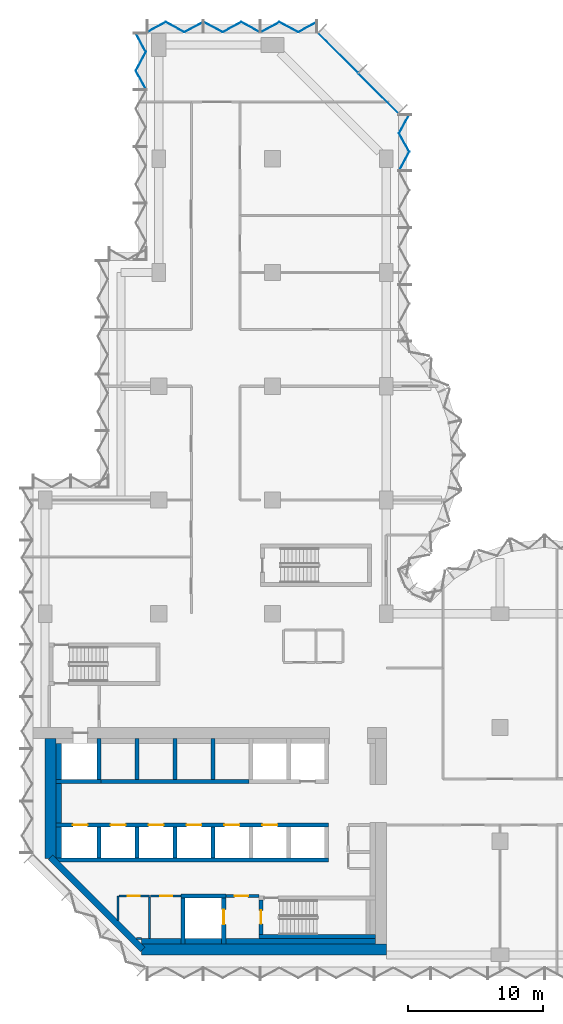
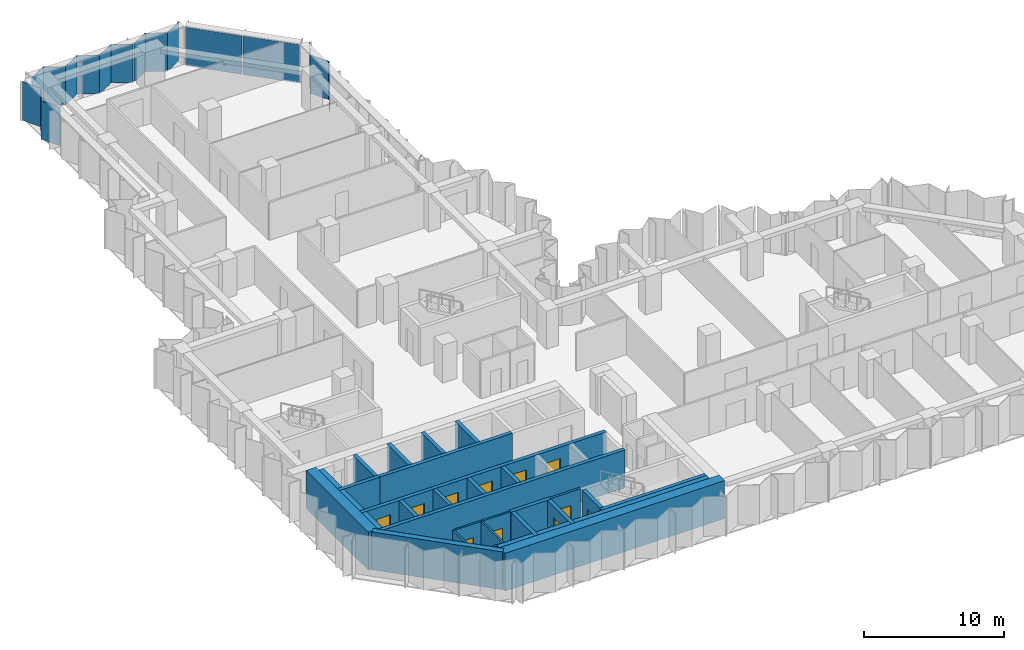
# One storey, part 5 of 11: 32 walls, 11 doors, 7 plates, 11 openings, 4 elements without a shape of their own.
"""IFC4 building model written with IfcOpenShell, lengths in metres."""

from ifc_helpers import new_model, si_unit, direction, frame, frame_2d, origin, place, context, subcontext, project, spatial, polyline, rectangle, outline, extrude, material, layer, layer_set, type_object, element, fill, aggregate, save


model = new_model("IFC4")

# Units and contexts
model_context = context("Model", 3, precision=1e-05, world=origin(), true_north=direction((0.0, 1.0)))
body_context = subcontext(model_context, "Body", "Model", "MODEL_VIEW")
ifc_project = project(units=[si_unit("LENGTHUNIT", "METRE"), si_unit("AREAUNIT", "SQUARE_METRE"), si_unit("VOLUMEUNIT", "CUBIC_METRE"), si_unit("PLANEANGLEUNIT", "RADIAN"), si_unit("MASSUNIT", "GRAM", prefix="KILO")], contexts=[model_context])

# Site, building, storey
site_placement = place(None, origin())
site = spatial("IfcSite", under=ifc_project, at=site_placement, CompositionType="ELEMENT")
building_placement = place(site_placement, origin())
building = spatial("IfcBuilding", under=site, at=building_placement, Name="Brevane Broadcast Tower", CompositionType="ELEMENT")
storey_placement = place(building_placement, frame((0.0, 0.0, 152.89990234375)))
storey = spatial("IfcBuildingStorey", under=building, at=storey_placement, Name="L38", CompositionType="ELEMENT", Elevation=152.89990234375)

# Curtain wall, plate
ifc_material_1 = material(Name="Aluminium 6063-T6 bronze anodised", Category="aluminium")
curtain_wall_type = type_object("IfcCurtainWallType", Name="CW-1 curtain wall", PredefinedType="NOTDEFINED", material=ifc_material_1)
curtain_wall_1_placement = place(storey_placement, origin())
curtain_wall_1 = element("IfcCurtainWall", 1, at=curtain_wall_1_placement, inside=storey, type_object=curtain_wall_type, Name="CW-1 typical tilted unit L38 north arm east face", PredefinedType="NOTDEFINED")
ifc_material_2 = material(Name="Laminated glass bronze-tinted", Category="glass")
ifc_layer_1 = layer(ifc_material_2, 0.0400390625)
ifc_layer_set_1 = layer_set([ifc_layer_1], Name="CW tall glass panel 40")
plate_type = type_object("IfcPlateType", Name="CW tall glass panel 40", PredefinedType="CURTAIN_PANEL", material=ifc_layer_set_1)
plate_1_placement = place(storey_placement, frame((0.0, 0.0, -0.14990234375)))
plate_1 = element("IfcPlate", 2, at=plate_1_placement, type_object=plate_type, Name="CW-1 glass panel", PredefinedType="CURTAIN_PANEL", context=body_context, shape_type="SweptSolid", body=[
    extrude(outline(polyline([(26.127197265625, 57.93505859375), (26.172607421875, 57.93505859375), (26.9169921875, 59.311767578125), (26.172607421875, 60.688232421875), (26.9169921875, 62.06494140625), (26.87158203125, 62.06494140625), (26.127197265625, 60.688232421875), (26.87158203125, 59.311767578125), (26.127197265625, 57.93505859375)])), origin(), (0.0, 0.0, 1.0), 3.35009765625),
])
aggregate(curtain_wall_1, [plate_1])

# Curtain wall, plates
curtain_wall_2_placement = place(storey_placement, origin())
curtain_wall_2 = element("IfcCurtainWall", 3, at=curtain_wall_2_placement, inside=storey, type_object=curtain_wall_type, Name="CW-1 typical tilted unit L38 north arm north-east chamfer", PredefinedType="NOTDEFINED")
plate_2_placement = place(storey_placement, frame((0.0, 0.0, -0.14990234375)))
plate_2 = element("IfcPlate", 4, at=plate_2_placement, type_object=plate_type, Name="CW-1 glass panel", PredefinedType="CURTAIN_PANEL", context=body_context, shape_type="SweptSolid", body=[
    extrude(outline(polyline([(26.096435546875, 62.14599609375), (23.14599609375, 65.096435546875), (23.17431640625, 65.124755859375), (26.124755859375, 62.17431640625), (26.096435546875, 62.14599609375)])), origin(), (0.0, 0.0, 1.0), 3.35009765625),
])
plate_3_placement = place(storey_placement, frame((0.0, 0.0, -0.14990234375)))
plate_3 = element("IfcPlate", 5, at=plate_3_placement, type_object=plate_type, Name="CW-1 glass panel", PredefinedType="CURTAIN_PANEL", context=body_context, shape_type="SweptSolid", body=[
    extrude(outline(polyline([(23.096435546875, 65.14599609375), (20.14599609375, 68.096435546875), (20.17431640625, 68.124755859375), (23.124755859375, 65.17431640625), (23.096435546875, 65.14599609375)])), origin(), (0.0, 0.0, 1.0), 3.35009765625),
])
aggregate(curtain_wall_2, [plate_2, plate_3])

curtain_wall_3_placement = place(storey_placement, origin())
curtain_wall_3 = element("IfcCurtainWall", 6, at=curtain_wall_3_placement, inside=storey, type_object=curtain_wall_type, Name="CW-1 typical tilted unit L38 north end", PredefinedType="NOTDEFINED")
plate_4_placement = place(storey_placement, frame((0.0, 0.0, -0.14990234375)))
plate_4 = element("IfcPlate", 7, at=plate_4_placement, type_object=plate_type, Name="CW-1 glass panel", PredefinedType="CURTAIN_PANEL", context=body_context, shape_type="SweptSolid", body=[
    extrude(outline(polyline([(20.06494140625, 68.87158203125), (20.06494140625, 68.9169921875), (18.688232421875, 68.172607421875), (17.311767578125, 68.9169921875), (15.93505859375, 68.172607421875), (15.93505859375, 68.127197265625), (17.311767578125, 68.87158203125), (18.688232421875, 68.127197265625), (20.06494140625, 68.87158203125)])), origin(), (0.0, 0.0, 1.0), 3.35009765625),
])
plate_5_placement = place(storey_placement, frame((0.0, 0.0, -0.14990234375)))
plate_5 = element("IfcPlate", 8, at=plate_5_placement, type_object=plate_type, Name="CW-1 glass panel", PredefinedType="CURTAIN_PANEL", context=body_context, shape_type="SweptSolid", body=[
    extrude(outline(polyline([(15.864990234375, 68.127197265625), (15.864990234375, 68.172607421875), (14.48828125, 68.9169921875), (13.11181640625, 68.172607421875), (11.735107421875, 68.9169921875), (11.735107421875, 68.87158203125), (13.11181640625, 68.127197265625), (14.48828125, 68.87158203125), (15.864990234375, 68.127197265625)])), origin(), (0.0, 0.0, 1.0), 3.35009765625),
])
plate_6_placement = place(storey_placement, frame((0.0, 0.0, -0.14990234375)))
plate_6 = element("IfcPlate", 9, at=plate_6_placement, type_object=plate_type, Name="CW-1 glass panel", PredefinedType="CURTAIN_PANEL", context=body_context, shape_type="SweptSolid", body=[
    extrude(outline(polyline([(11.6650390625, 68.87158203125), (11.6650390625, 68.9169921875), (10.288330078125, 68.172607421875), (8.91162109375, 68.9169921875), (7.534912109375, 68.172607421875), (7.534912109375, 68.127197265625), (8.91162109375, 68.87158203125), (10.288330078125, 68.127197265625), (11.6650390625, 68.87158203125)])), origin(), (0.0, 0.0, 1.0), 3.35009765625),
])
aggregate(curtain_wall_3, [plate_4, plate_5, plate_6])

# Curtain wall, plate
curtain_wall_4_placement = place(storey_placement, origin())
curtain_wall_4 = element("IfcCurtainWall", 10, at=curtain_wall_4_placement, inside=storey, type_object=curtain_wall_type, Name="CW-1 typical tilted unit L38 north wing west face above the set-back", PredefinedType="NOTDEFINED")
plate_7_placement = place(storey_placement, frame((0.0, 0.0, -0.14990234375)))
plate_7 = element("IfcPlate", 11, at=plate_7_placement, type_object=plate_type, Name="CW-1 glass panel", PredefinedType="CURTAIN_PANEL", context=body_context, shape_type="SweptSolid", body=[
    extrude(outline(polyline([(6.728271484375, 68.06494140625), (6.682861328125, 68.06494140625), (7.42724609375, 66.688232421875), (6.682861328125, 65.311767578125), (7.42724609375, 63.93505859375), (7.47265625, 63.93505859375), (6.728271484375, 65.311767578125), (7.47265625, 66.688232421875), (6.728271484375, 68.06494140625)])), origin(), (0.0, 0.0, 1.0), 3.35009765625),
])
aggregate(curtain_wall_4, [plate_7])

# Walls
ifc_material_3 = material(Name="Concrete C32/40", Category="concrete")
ifc_layer_2 = layer(ifc_material_3, 0.39990234375)
ifc_layer_set_2 = layer_set([ifc_layer_2], Name="Core chase wall 400 mm")
wall_type_1 = type_object("IfcWallType", Name="Core chase wall 400 mm", PredefinedType="PARTITIONING", material=ifc_layer_set_2)
wall_1_placement = place(storey_placement, frame((1.0, 7.14990234375, 0.0), z_axis=(0.0, 0.0, 1.0), x_axis=(0.0, 1.0, 0.0)))
element("IfcWall", 12, at=wall_1_placement, inside=storey, type_object=wall_type_1, Name="L38 chase wall LW-2-1", PredefinedType="PARTITIONING", context=body_context, shape_type="SweptSolid", body=[
    extrude(rectangle(XDim=2.300048828125, YDim=0.39990234375, at=frame_2d((1.14990234375, 0.0))), origin(), (0.0, 0.0, 1.0), 3.300048828125),
])
wall_2_placement = place(storey_placement, frame((1.0, 9.75, 0.0), z_axis=(0.0, 0.0, 1.0), x_axis=(0.0, 1.0, 0.0)))
element("IfcWall", 13, at=wall_2_placement, inside=storey, type_object=wall_type_1, Name="L38 chase wall LW-2-2-1", PredefinedType="PARTITIONING", context=body_context, shape_type="SweptSolid", body=[
    extrude(rectangle(XDim=2.89990234375, YDim=0.39990234375, at=frame_2d((1.449951171875, 0.0))), origin(), (0.0, 0.0, 1.0), 3.300048828125),
])
wall_3_placement = place(storey_placement, frame((1.0, 12.949951171875, 0.0), z_axis=(0.0, 0.0, 1.0), x_axis=(0.0, 1.0, 0.0)))
element("IfcWall", 14, at=wall_3_placement, inside=storey, type_object=wall_type_1, Name="L38 chase wall LW-2-2-2", PredefinedType="PARTITIONING", context=body_context, shape_type="SweptSolid", body=[
    extrude(rectangle(XDim=2.650146484375, YDim=0.39990234375, at=frame_2d((1.3251953125, 0.0))), origin(), (0.0, 0.0, 1.0), 3.300048828125),
])
wall_4_placement = place(storey_placement, frame((7.136474609375, 1.0, 0.0), z_axis=(0.0, 0.0, 1.0), x_axis=(1.0, 0.0, 0.0)))
element("IfcWall", 15, at=wall_4_placement, inside=storey, type_object=wall_type_1, Name="L38 chase wall LS-1", PredefinedType="PARTITIONING", context=body_context, shape_type="SweptSolid", body=[
    extrude(rectangle(XDim=2.91357421875, YDim=0.39990234375, at=frame_2d((1.456787109375, 0.0))), origin(), (0.0, 0.0, 1.0), 3.300048828125),
])
wall_5_placement = place(storey_placement, frame((10.35009765625, 1.0, 0.0), z_axis=(0.0, 0.0, 1.0), x_axis=(1.0, 0.0, 0.0)))
element("IfcWall", 16, at=wall_5_placement, inside=storey, type_object=wall_type_1, Name="L38 chase wall LS-2-1", PredefinedType="PARTITIONING", context=body_context, shape_type="SweptSolid", body=[
    extrude(rectangle(XDim=2.699951171875, YDim=0.39990234375, at=frame_2d((1.35009765625, 0.0))), origin(), (0.0, 0.0, 1.0), 3.300048828125),
])
wall_6_placement = place(storey_placement, frame((13.35009765625, 1.0, 0.0), z_axis=(0.0, 0.0, 1.0), x_axis=(1.0, 0.0, 0.0)))
element("IfcWall", 17, at=wall_6_placement, inside=storey, type_object=wall_type_1, Name="L38 chase wall LS-2-2", PredefinedType="PARTITIONING", context=body_context, shape_type="SweptSolid", body=[
    extrude(rectangle(XDim=11.0498046875, YDim=0.39990234375, at=frame_2d((5.52490234375, 0.0))), origin(), (0.0, 0.0, 1.0), 3.300048828125),
])
ifc_material_4 = material(Name="Gypsum board on steel studs", Category="steel")
ifc_layer_3 = layer(ifc_material_4, 0.14990234375)
ifc_layer_set_3 = layer_set([ifc_layer_3], Name="Core fire partition 150 mm")
wall_type_2 = type_object("IfcWallType", Name="Core fire partition 150 mm", PredefinedType="PARTITIONING", material=ifc_layer_set_3)
wall_7_placement = place(storey_placement, frame((5.39990234375, 2.553466796875, 0.0), z_axis=(0.0, 0.0, 1.0), x_axis=(0.0, 1.0, 0.0)))
element("IfcWall", 18, at=wall_7_placement, inside=storey, type_object=wall_type_2, Name="L38 partition wall P07", PredefinedType="PARTITIONING", context=body_context, shape_type="SweptSolid", body=[
    extrude(rectangle(XDim=1.796630859375, YDim=0.14990234375, at=frame_2d((0.8984375, 0.0))), origin(), (0.0, 0.0, 1.0), 3.300048828125),
])

# Wall, opening, door
wall_8_placement = place(storey_placement, frame((5.47509765625, 4.35009765625, 0.0), z_axis=(0.0, 0.0, 1.0), x_axis=(1.0, 0.0, 0.0)))
wall_8 = element("IfcWall", 19, at=wall_8_placement, inside=storey, type_object=wall_type_2, Name="L38 partition wall P08", PredefinedType="PARTITIONING", context=body_context, shape_type="SweptSolid", body=[
    extrude(rectangle(XDim=2.224853515625, YDim=0.14990234375, at=frame_2d((1.1123046875, 0.0))), origin(), (0.0, 0.0, 1.0), 3.300048828125),
])
opening_1_placement = place(wall_8_placement, frame((0.625, 0.0, 0.0)))
opening_1 = element("IfcOpeningElement", 20, at=opening_1_placement, cuts=wall_8, Name="Opening L38-K16", PredefinedType="OPENING", context=body_context, shape_type="SweptSolid", body=[
    extrude(rectangle(XDim=0.89990234375, YDim=2.10009765625, at=frame_2d((0.449951171875, 1.050048828125))), frame((0.0, 0.0849609375, 0.0), z_axis=(0.0, -1.0, 0.0), x_axis=(1.0, 0.0, 0.0)), (0.0, 0.0, 1.0), 0.169921875),
])
ifc_material_5 = material(Name="Timber", Category="wood")
door_type_1 = type_object("IfcDoorType", Name="Toilet door 900 x 2100", OperationType="SINGLE_SWING_LEFT", PredefinedType="DOOR", material=ifc_material_5)
door_1_placement = place(opening_1_placement, origin())
door_1 = element("IfcDoor", 21, at=door_1_placement, inside=storey, type_object=door_type_1, Name="Door L38-K16", OperationType="SINGLE_SWING_RIGHT", OverallHeight=2.10009765625, OverallWidth=0.89990234375, PredefinedType="DOOR", context=body_context, shape_type="SweptSolid", body=[
    extrude(rectangle(XDim=0.89990234375, YDim=2.10009765625, at=frame_2d((0.449951171875, 1.050048828125))), frame((0.0, 0.02490234375, 0.0), z_axis=(0.0, -1.0, 0.0), x_axis=(1.0, 0.0, 0.0)), (0.0, 0.0, 1.0), 0.050048828125),
])
fill(opening_1, door_1)

# Walls
wall_9_placement = place(storey_placement, frame((7.699951171875, 4.27490234375, 0.0), z_axis=(0.0, 0.0, 1.0), x_axis=(0.0, -1.0, 0.0)))
element("IfcWall", 22, at=wall_9_placement, inside=storey, type_object=wall_type_2, Name="L38 partition wall P09", PredefinedType="PARTITIONING", context=body_context, shape_type="SweptSolid", body=[
    extrude(rectangle(XDim=3.06298828125, YDim=0.14990234375, at=frame_2d((1.531494140625, 0.0))), origin(), (0.0, 0.0, 1.0), 3.300048828125),
])
wall_10_placement = place(storey_placement, frame((7.12451171875, 1.199951171875, 0.0), z_axis=(0.0, 0.0, 1.0), x_axis=(-1.0, 0.0, 0.0)))
element("IfcWall", 23, at=wall_10_placement, inside=storey, type_object=wall_type_2, Name="L38 partition wall P10", PredefinedType="PARTITIONING", context=body_context, shape_type="SweptSolid", body=[
    extrude(rectangle(XDim=0.37109375, YDim=0.14990234375, at=frame_2d((0.185546875, 0.0))), origin(), (0.0, 0.0, 1.0), 3.300048828125),
])

# Wall, opening, door
wall_11_placement = place(storey_placement, frame((10.0380859375, 4.35009765625, 0.0), z_axis=(0.0, 0.0, 1.0), x_axis=(-1.0, 0.0, 0.0)))
wall_11 = element("IfcWall", 24, at=wall_11_placement, inside=storey, type_object=wall_type_2, Name="L38 partition wall P11", PredefinedType="PARTITIONING", context=body_context, shape_type="SweptSolid", body=[
    extrude(rectangle(XDim=2.26318359375, YDim=0.14990234375, at=frame_2d((1.131591796875, 0.0))), origin(), (0.0, 0.0, 1.0), 3.300048828125),
])
opening_2_placement = place(wall_11_placement, frame((0.637939453125, 0.0, 0.0)))
opening_2 = element("IfcOpeningElement", 25, at=opening_2_placement, cuts=wall_11, Name="Opening L38-K17", PredefinedType="OPENING", context=body_context, shape_type="SweptSolid", body=[
    extrude(rectangle(XDim=0.89990234375, YDim=2.10009765625, at=frame_2d((0.449951171875, 1.050048828125))), frame((0.0, 0.0849609375, 0.0), z_axis=(0.0, -1.0, 0.0), x_axis=(1.0, 0.0, 0.0)), (0.0, 0.0, 1.0), 0.169921875),
])
door_2_placement = place(opening_2_placement, origin())
door_2 = element("IfcDoor", 26, at=door_2_placement, inside=storey, type_object=door_type_1, Name="Door L38-K17", OperationType="SINGLE_SWING_LEFT", OverallHeight=2.10009765625, OverallWidth=0.89990234375, PredefinedType="DOOR", context=body_context, shape_type="SweptSolid", body=[
    extrude(rectangle(XDim=0.89990234375, YDim=2.10009765625, at=frame_2d((0.449951171875, 1.050048828125))), frame((0.0, 0.02490234375, 0.0), z_axis=(0.0, -1.0, 0.0), x_axis=(1.0, 0.0, 0.0)), (0.0, 0.0, 1.0), 0.050048828125),
])
fill(opening_2, door_2)

ifc_layer_4 = layer(ifc_material_4, 0.199951171875)
ifc_layer_set_4 = layer_set([ifc_layer_4], Name="Core fire partition 200 mm")
wall_type_3 = type_object("IfcWallType", Name="Core fire partition 200 mm", PredefinedType="PARTITIONING", material=ifc_layer_set_4)
wall_12_placement = place(storey_placement, frame((13.362060546875, 4.35009765625, 0.0), z_axis=(0.0, 0.0, 1.0), x_axis=(1.0, 0.0, 0.0)))
wall_12 = element("IfcWall", 27, at=wall_12_placement, inside=storey, type_object=wall_type_3, Name="L38 partition wall P03", PredefinedType="PARTITIONING", context=body_context, shape_type="SweptSolid", body=[
    extrude(rectangle(XDim=2.426025390625, YDim=0.199951171875, at=frame_2d((1.212890625, 0.0))), origin(), (0.0, 0.0, 1.0), 3.300048828125),
])
opening_3_placement = place(wall_12_placement, frame((0.637939453125, 0.0, 0.0)))
opening_3 = element("IfcOpeningElement", 28, at=opening_3_placement, cuts=wall_12, Name="Opening L38-K18", PredefinedType="OPENING", context=body_context, shape_type="SweptSolid", body=[
    extrude(rectangle(XDim=1.0, YDim=2.10009765625, at=frame_2d((0.5, 1.050048828125))), frame((0.0, 0.10986328125, 0.0), z_axis=(0.0, -1.0, 0.0), x_axis=(1.0, 0.0, 0.0)), (0.0, 0.0, 1.0), 0.219970703125),
])
ifc_material_6 = material(Name="Steel", Category="steel")
door_type_2 = type_object("IfcDoorType", Name="Stair door 1000 x 2100", OperationType="SINGLE_SWING_LEFT", PredefinedType="DOOR", material=ifc_material_6)
door_3_placement = place(opening_3_placement, origin())
door_3 = element("IfcDoor", 29, at=door_3_placement, inside=storey, type_object=door_type_2, Name="Door L38-K18", OperationType="SINGLE_SWING_RIGHT", OverallHeight=2.10009765625, OverallWidth=1.0, PredefinedType="DOOR", context=body_context, shape_type="SweptSolid", body=[
    extrude(rectangle(XDim=1.0, YDim=2.10009765625, at=frame_2d((0.5, 1.050048828125))), frame((0.0, 0.02490234375, 0.0), z_axis=(0.0, -1.0, 0.0), x_axis=(1.0, 0.0, 0.0)), (0.0, 0.0, 1.0), 0.050048828125),
])
fill(opening_3, door_3)

# Wall
ifc_material_7 = material(Name="Concrete C60/75", Category="concrete")
ifc_layer_5 = layer(ifc_material_7, 0.300048828125)
ifc_layer_set_5 = layer_set([ifc_layer_5], Name="Core wall 300 mm C60/75")
wall_type_4 = type_object("IfcWallType", Name="Core wall 300 mm C60/75", PredefinedType="SHEAR", material=ifc_layer_set_5)
wall_13_placement = place(storey_placement, frame((0.800048828125, 7.0, 0.0), z_axis=(0.0, 0.0, 1.0), x_axis=(1.0, 0.0, 0.0)))
element("IfcWall", 30, at=wall_13_placement, inside=storey, type_object=wall_type_4, Name="L38 shaft wall SH-S012-back", PredefinedType="SHEAR", context=body_context, shape_type="SweptSolid", body=[
    extrude(rectangle(XDim=20.14990234375, YDim=0.300048828125, at=frame_2d((10.074951171875, 0.0))), origin(), (0.0, 0.0, 1.0), 3.300048828125),
])

# Wall, openings, doors
wall_14_placement = place(storey_placement, frame((0.800048828125, 9.60009765625, 0.0), z_axis=(0.0, 0.0, 1.0), x_axis=(1.0, 0.0, 0.0)))
wall_14 = element("IfcWall", 31, at=wall_14_placement, inside=storey, type_object=wall_type_4, Name="L38 shaft wall SH-S012-front", PredefinedType="SHEAR", context=body_context, shape_type="SweptSolid", body=[
    extrude(rectangle(XDim=20.14990234375, YDim=0.300048828125, at=frame_2d((10.074951171875, 0.0))), origin(), (0.0, 0.0, 1.0), 3.300048828125),
])
opening_4_placement = place(wall_14_placement, frame((1.25, 0.0, 0.0)))
opening_4 = element("IfcOpeningElement", 32, at=opening_4_placement, cuts=wall_14, Name="Opening LD", PredefinedType="OPENING", context=body_context, shape_type="SweptSolid", body=[
    extrude(rectangle(XDim=1.10009765625, YDim=2.300048828125, at=frame_2d((0.550048828125, 1.14990234375))), frame((0.0, 0.159912109375, 0.0), z_axis=(0.0, -1.0, 0.0), x_axis=(1.0, 0.0, 0.0)), (0.0, 0.0, 1.0), 0.320068359375),
])
opening_5_placement = place(wall_14_placement, frame((4.050048828125, 0.0, 0.0)))
opening_5 = element("IfcOpeningElement", 33, at=opening_5_placement, cuts=wall_14, Name="Opening LD", PredefinedType="OPENING", context=body_context, shape_type="SweptSolid", body=[
    extrude(rectangle(XDim=1.10009765625, YDim=2.300048828125, at=frame_2d((0.550048828125, 1.14990234375))), frame((0.0, 0.159912109375, 0.0), z_axis=(0.0, -1.0, 0.0), x_axis=(1.0, 0.0, 0.0)), (0.0, 0.0, 1.0), 0.320068359375),
])
opening_6_placement = place(wall_14_placement, frame((6.85009765625, 0.0, 0.0)))
opening_6 = element("IfcOpeningElement", 34, at=opening_6_placement, cuts=wall_14, Name="Opening LD", PredefinedType="OPENING", context=body_context, shape_type="SweptSolid", body=[
    extrude(rectangle(XDim=1.10009765625, YDim=2.300048828125, at=frame_2d((0.550048828125, 1.14990234375))), frame((0.0, 0.159912109375, 0.0), z_axis=(0.0, -1.0, 0.0), x_axis=(1.0, 0.0, 0.0)), (0.0, 0.0, 1.0), 0.320068359375),
])
opening_7_placement = place(wall_14_placement, frame((9.64990234375, 0.0, 0.0)))
opening_7 = element("IfcOpeningElement", 35, at=opening_7_placement, cuts=wall_14, Name="Opening LD", PredefinedType="OPENING", context=body_context, shape_type="SweptSolid", body=[
    extrude(rectangle(XDim=1.10009765625, YDim=2.300048828125, at=frame_2d((0.550048828125, 1.14990234375))), frame((0.0, 0.159912109375, 0.0), z_axis=(0.0, -1.0, 0.0), x_axis=(1.0, 0.0, 0.0)), (0.0, 0.0, 1.0), 0.320068359375),
])
opening_8_placement = place(wall_14_placement, frame((12.449951171875, 0.0, 0.0)))
opening_8 = element("IfcOpeningElement", 36, at=opening_8_placement, cuts=wall_14, Name="Opening LD", PredefinedType="OPENING", context=body_context, shape_type="SweptSolid", body=[
    extrude(rectangle(XDim=1.10009765625, YDim=2.300048828125, at=frame_2d((0.550048828125, 1.14990234375))), frame((0.0, 0.159912109375, 0.0), z_axis=(0.0, -1.0, 0.0), x_axis=(1.0, 0.0, 0.0)), (0.0, 0.0, 1.0), 0.320068359375),
])
opening_9_placement = place(wall_14_placement, frame((15.25, 0.0, 0.0)))
opening_9 = element("IfcOpeningElement", 37, at=opening_9_placement, cuts=wall_14, Name="Opening LD", PredefinedType="OPENING", context=body_context, shape_type="SweptSolid", body=[
    extrude(rectangle(XDim=1.10009765625, YDim=2.300048828125, at=frame_2d((0.550048828125, 1.14990234375))), frame((0.0, 0.159912109375, 0.0), z_axis=(0.0, -1.0, 0.0), x_axis=(1.0, 0.0, 0.0)), (0.0, 0.0, 1.0), 0.320068359375),
])
ifc_material_8 = material(Name="Stainless steel", Category="steel")
door_type_3 = type_object("IfcDoorType", Name="Lift landing door", OperationType="SLIDING_TO_LEFT", PredefinedType="DOOR", material=ifc_material_8)
door_4_placement = place(opening_4_placement, origin())
door_4 = element("IfcDoor", 38, at=door_4_placement, inside=storey, type_object=door_type_3, Name="Landing door LR1 L38", OperationType="SLIDING_TO_LEFT", OverallHeight=2.300048828125, OverallWidth=1.10009765625, PredefinedType="DOOR", context=body_context, shape_type="SweptSolid", body=[
    extrude(rectangle(XDim=1.10009765625, YDim=2.300048828125, at=frame_2d((0.550048828125, 1.14990234375))), frame((0.0, 0.02490234375, 0.0), z_axis=(0.0, -1.0, 0.0), x_axis=(1.0, 0.0, 0.0)), (0.0, 0.0, 1.0), 0.050048828125),
])
fill(opening_4, door_4)
door_5_placement = place(opening_5_placement, origin())
door_5 = element("IfcDoor", 39, at=door_5_placement, inside=storey, type_object=door_type_3, Name="Landing door LR2 L38", OperationType="SLIDING_TO_LEFT", OverallHeight=2.300048828125, OverallWidth=1.10009765625, PredefinedType="DOOR", context=body_context, shape_type="SweptSolid", body=[
    extrude(rectangle(XDim=1.10009765625, YDim=2.300048828125, at=frame_2d((0.550048828125, 1.14990234375))), frame((0.0, 0.02490234375, 0.0), z_axis=(0.0, -1.0, 0.0), x_axis=(1.0, 0.0, 0.0)), (0.0, 0.0, 1.0), 0.050048828125),
])
fill(opening_5, door_5)
door_6_placement = place(opening_6_placement, origin())
door_6 = element("IfcDoor", 40, at=door_6_placement, inside=storey, type_object=door_type_3, Name="Landing door LR3 L38", OperationType="SLIDING_TO_LEFT", OverallHeight=2.300048828125, OverallWidth=1.10009765625, PredefinedType="DOOR", context=body_context, shape_type="SweptSolid", body=[
    extrude(rectangle(XDim=1.10009765625, YDim=2.300048828125, at=frame_2d((0.550048828125, 1.14990234375))), frame((0.0, 0.02490234375, 0.0), z_axis=(0.0, -1.0, 0.0), x_axis=(1.0, 0.0, 0.0)), (0.0, 0.0, 1.0), 0.050048828125),
])
fill(opening_6, door_6)
door_7_placement = place(opening_7_placement, origin())
door_7 = element("IfcDoor", 41, at=door_7_placement, inside=storey, type_object=door_type_3, Name="Landing door LR4 L38", OperationType="SLIDING_TO_LEFT", OverallHeight=2.300048828125, OverallWidth=1.10009765625, PredefinedType="DOOR", context=body_context, shape_type="SweptSolid", body=[
    extrude(rectangle(XDim=1.10009765625, YDim=2.300048828125, at=frame_2d((0.550048828125, 1.14990234375))), frame((0.0, 0.02490234375, 0.0), z_axis=(0.0, -1.0, 0.0), x_axis=(1.0, 0.0, 0.0)), (0.0, 0.0, 1.0), 0.050048828125),
])
fill(opening_7, door_7)
door_8_placement = place(opening_8_placement, origin())
door_8 = element("IfcDoor", 42, at=door_8_placement, inside=storey, type_object=door_type_3, Name="Landing door LR5 L38", OperationType="SLIDING_TO_LEFT", OverallHeight=2.300048828125, OverallWidth=1.10009765625, PredefinedType="DOOR", context=body_context, shape_type="SweptSolid", body=[
    extrude(rectangle(XDim=1.10009765625, YDim=2.300048828125, at=frame_2d((0.550048828125, 1.14990234375))), frame((0.0, 0.02490234375, 0.0), z_axis=(0.0, -1.0, 0.0), x_axis=(1.0, 0.0, 0.0)), (0.0, 0.0, 1.0), 0.050048828125),
])
fill(opening_8, door_8)
door_9_placement = place(opening_9_placement, origin())
door_9 = element("IfcDoor", 43, at=door_9_placement, inside=storey, type_object=door_type_3, Name="Landing door LR6 L38", OperationType="SLIDING_TO_LEFT", OverallHeight=2.300048828125, OverallWidth=1.10009765625, PredefinedType="DOOR", context=body_context, shape_type="SweptSolid", body=[
    extrude(rectangle(XDim=1.10009765625, YDim=2.300048828125, at=frame_2d((0.550048828125, 1.14990234375))), frame((0.0, 0.02490234375, 0.0), z_axis=(0.0, -1.0, 0.0), x_axis=(1.0, 0.0, 0.0)), (0.0, 0.0, 1.0), 0.050048828125),
])
fill(opening_9, door_9)

# Walls
for number, where, z_axis, x_axis, name in (
    (44, (4.0, 7.14990234375, 0.0), (0.0, 0.0, 1.0), (0.0, 1.0, 0.0), "L38 shaft wall SH-S-P040"),
    (45, (6.800048828125, 7.14990234375, 0.0), (0.0, 0.0, 1.0), (0.0, 1.0, 0.0), "L38 shaft wall SH-S-P068"),
    (46, (9.60009765625, 7.14990234375, 0.0), (0.0, 0.0, 1.0), (0.0, 1.0, 0.0), "L38 shaft wall SH-S-P096"),
    (47, (12.39990234375, 7.14990234375, 0.0), (0.0, 0.0, 1.0), (0.0, 1.0, 0.0), "L38 shaft wall SH-S-P124"),
):
    element("IfcWall", number, at=place(storey_placement, frame(where, z_axis=z_axis, x_axis=x_axis)), inside=storey, type_object=wall_type_4, Name=name, PredefinedType="SHEAR", context=body_context, shape_type="SweptSolid", body=[
        extrude(rectangle(XDim=2.300048828125, YDim=0.300048828125, at=frame_2d((1.14990234375, 0.0))), origin(), (0.0, 0.0, 1.0), 3.300048828125),
    ])
wall_15_placement = place(storey_placement, frame((0.800048828125, 12.800048828125, 0.0), z_axis=(0.0, 0.0, 1.0), x_axis=(1.0, 0.0, 0.0)))
element("IfcWall", 48, at=wall_15_placement, inside=storey, type_object=wall_type_4, Name="L38 shaft wall SH-N012-front", PredefinedType="SHEAR", context=body_context, shape_type="SweptSolid", body=[
    extrude(rectangle(XDim=3.349853515625, YDim=0.300048828125, at=frame_2d((1.6748046875, 0.0))), origin(), (0.0, 0.0, 1.0), 3.300048828125),
])
wall_16_placement = place(storey_placement, frame((4.0, 12.949951171875, 0.0), z_axis=(0.0, 0.0, 1.0), x_axis=(0.0, 1.0, 0.0)))
element("IfcWall", 49, at=wall_16_placement, inside=storey, type_object=wall_type_4, Name="L38 shaft wall SH-N-P040", PredefinedType="SHEAR", context=body_context, shape_type="SweptSolid", body=[
    extrude(rectangle(XDim=3.050048828125, YDim=0.300048828125, at=frame_2d((1.52490234375, 0.0))), origin(), (0.0, 0.0, 1.0), 3.300048828125),
])
wall_17_placement = place(storey_placement, frame((10.199951171875, 0.800048828125, 0.0), z_axis=(0.0, 0.0, 1.0), x_axis=(0.0, 1.0, 0.0)))
element("IfcWall", 50, at=wall_17_placement, inside=storey, type_object=wall_type_4, Name="L38 shaft wall FF2-W", PredefinedType="SHEAR", context=body_context, shape_type="SweptSolid", body=[
    extrude(rectangle(XDim=3.39990234375, YDim=0.300048828125, at=frame_2d((1.699951171875, 0.0))), origin(), (0.0, 0.0, 1.0), 3.300048828125),
])

# Wall, opening, door
wall_18_placement = place(storey_placement, frame((13.199951171875, 0.800048828125, 0.0), z_axis=(0.0, 0.0, 1.0), x_axis=(0.0, 1.0, 0.0)))
wall_18 = element("IfcWall", 51, at=wall_18_placement, inside=storey, type_object=wall_type_4, Name="L38 shaft wall FF2-E", PredefinedType="SHEAR", context=body_context, shape_type="SweptSolid", body=[
    extrude(rectangle(XDim=3.39990234375, YDim=0.300048828125, at=frame_2d((1.699951171875, 0.0))), origin(), (0.0, 0.0, 1.0), 3.300048828125),
])
opening_10_placement = place(wall_18_placement, frame((1.449951171875, 0.0, 0.0)))
opening_10 = element("IfcOpeningElement", 52, at=opening_10_placement, cuts=wall_18, Name="Opening LD", PredefinedType="OPENING", context=body_context, shape_type="SweptSolid", body=[
    extrude(rectangle(XDim=1.10009765625, YDim=2.300048828125, at=frame_2d((0.550048828125, 1.14990234375))), frame((0.0, 0.159912109375, 0.0), z_axis=(0.0, -1.0, 0.0), x_axis=(1.0, 0.0, 0.0)), (0.0, 0.0, 1.0), 0.320068359375),
])
door_10_placement = place(opening_10_placement, origin())
door_10 = element("IfcDoor", 53, at=door_10_placement, inside=storey, type_object=door_type_3, Name="Landing door FF2 L38", OperationType="SLIDING_TO_LEFT", OverallHeight=2.300048828125, OverallWidth=1.10009765625, PredefinedType="DOOR", context=body_context, shape_type="SweptSolid", body=[
    extrude(rectangle(XDim=1.10009765625, YDim=2.300048828125, at=frame_2d((0.550048828125, 1.14990234375))), frame((0.0, 0.02490234375, 0.0), z_axis=(0.0, -1.0, 0.0), x_axis=(1.0, 0.0, 0.0)), (0.0, 0.0, 1.0), 0.050048828125),
])
fill(opening_10, door_10)

# Walls
wall_19_placement = place(storey_placement, frame((10.050048828125, 4.35009765625, 0.0), z_axis=(0.0, 0.0, 1.0), x_axis=(1.0, 0.0, 0.0)))
element("IfcWall", 54, at=wall_19_placement, inside=storey, type_object=wall_type_4, Name="L38 shaft wall FF2-N", PredefinedType="SHEAR", context=body_context, shape_type="SweptSolid", body=[
    extrude(rectangle(XDim=3.300048828125, YDim=0.300048828125, at=frame_2d((1.64990234375, 0.0))), origin(), (0.0, 0.0, 1.0), 3.300048828125),
])
wall_20_placement = place(storey_placement, frame((4.14990234375, 12.800048828125, 0.0), z_axis=(0.0, 0.0, 1.0), x_axis=(1.0, 0.0, 0.0)))
element("IfcWall", 55, at=wall_20_placement, inside=storey, type_object=wall_type_4, Name="L38 shaft wall PIT-front", PredefinedType="SHEAR", context=body_context, shape_type="SweptSolid", body=[
    extrude(rectangle(XDim=10.900146484375, YDim=0.300048828125, at=frame_2d((5.4501953125, 0.0))), origin(), (0.0, 0.0, 1.0), 3.300048828125),
])
for number, where, z_axis, x_axis, name in (
    (56, (6.800048828125, 12.949951171875, 0.0), (0.0, 0.0, 1.0), (0.0, 1.0, 0.0), "L38 shaft wall PIT-P068"),
    (57, (9.60009765625, 12.949951171875, 0.0), (0.0, 0.0, 1.0), (0.0, 1.0, 0.0), "L38 shaft wall PIT-P096"),
    (58, (12.39990234375, 12.949951171875, 0.0), (0.0, 0.0, 1.0), (0.0, 1.0, 0.0), "L38 shaft wall PIT-P124"),
):
    element("IfcWall", number, at=place(storey_placement, frame(where, z_axis=z_axis, x_axis=x_axis)), inside=storey, type_object=wall_type_4, Name=name, PredefinedType="SHEAR", context=body_context, shape_type="SweptSolid", body=[
        extrude(rectangle(XDim=3.050048828125, YDim=0.300048828125, at=frame_2d((1.52490234375, 0.0))), origin(), (0.0, 0.0, 1.0), 3.300048828125),
    ])
wall_21_placement = place(storey_placement, frame((15.800048828125, 1.35009765625, 0.0), z_axis=(0.0, 0.0, 1.0), x_axis=(1.0, 0.0, 0.0)))
element("IfcWall", 59, at=wall_21_placement, inside=storey, type_object=wall_type_4, Name="L38 stair wall ST-2-S", PredefinedType="SHEAR", context=body_context, shape_type="SweptSolid", body=[
    extrude(rectangle(XDim=8.599853515625, YDim=0.300048828125, at=frame_2d((4.2998046875, 0.0))), origin(), (0.0, 0.0, 1.0), 3.300048828125),
])

# Wall, opening, door
wall_22_placement = place(storey_placement, frame((15.949951171875, 1.5, 0.0), z_axis=(0.0, 0.0, 1.0), x_axis=(0.0, 1.0, 0.0)))
wall_22 = element("IfcWall", 60, at=wall_22_placement, inside=storey, type_object=wall_type_4, Name="L38 stair wall ST-2-W", PredefinedType="SHEAR", context=body_context, shape_type="SweptSolid", body=[
    extrude(rectangle(XDim=2.550048828125, YDim=0.300048828125, at=frame_2d((1.27490234375, 0.0))), origin(), (0.0, 0.0, 1.0), 3.300048828125),
])
opening_11_placement = place(wall_22_placement, frame((0.800048828125, 0.0, 0.0)))
opening_11 = element("IfcOpeningElement", 61, at=opening_11_placement, cuts=wall_22, Name="Opening L38-K12", PredefinedType="OPENING", context=body_context, shape_type="SweptSolid", body=[
    extrude(rectangle(XDim=1.0, YDim=2.10009765625, at=frame_2d((0.5, 1.050048828125))), frame((0.0, 0.159912109375, 0.0), z_axis=(0.0, -1.0, 0.0), x_axis=(1.0, 0.0, 0.0)), (0.0, 0.0, 1.0), 0.320068359375),
])
door_11_placement = place(opening_11_placement, origin())
door_11 = element("IfcDoor", 62, at=door_11_placement, inside=storey, type_object=door_type_2, Name="Door L38-K12", OperationType="SINGLE_SWING_RIGHT", OverallHeight=2.10009765625, OverallWidth=1.0, PredefinedType="DOOR", context=body_context, shape_type="SweptSolid", body=[
    extrude(rectangle(XDim=1.0, YDim=2.10009765625, at=frame_2d((0.5, 1.050048828125))), frame((0.0, 0.02490234375, 0.0), z_axis=(0.0, -1.0, 0.0), x_axis=(1.0, 0.0, 0.0)), (0.0, 0.0, 1.0), 0.050048828125),
])
fill(opening_11, door_11)

# Walls
ifc_layer_6 = layer(ifc_material_7, 0.449951171875)
ifc_layer_set_6 = layer_set([ifc_layer_6], Name="Core wall 450 mm C60/75")
wall_type_5 = type_object("IfcWallType", Name="Core wall 450 mm C60/75", PredefinedType="SHEAR", material=ifc_layer_set_6)
wall_23_placement = place(storey_placement, frame((0.39990234375, 7.21826171875, 0.0), z_axis=(0.0, 0.0, 1.0), x_axis=(0.707106781187, -0.707106781187, 0.0)))
element("IfcWall", 63, at=wall_23_placement, inside=storey, type_object=wall_type_5, Name="L38 outer wall WC", PredefinedType="SHEAR", context=body_context, shape_type="SweptSolid", body=[
    extrude(rectangle(XDim=9.642578125, YDim=0.449951171875, at=frame_2d((4.8212890625, 0.0))), origin(), (0.0, 0.0, 1.0), 3.300048828125),
])
ifc_layer_7 = layer(ifc_material_7, 0.800048828125)
ifc_layer_set_7 = layer_set([ifc_layer_7], Name="Core wall 800 mm C60/75")
wall_type_6 = type_object("IfcWallType", Name="Core wall 800 mm C60/75", PredefinedType="SHEAR", material=ifc_layer_set_7)
wall_24_placement = place(storey_placement, frame((7.136474609375, 0.39990234375, 0.0), z_axis=(0.0, 0.0, 1.0), x_axis=(1.0, 0.0, 0.0)))
element("IfcWall", 64, at=wall_24_placement, inside=storey, type_object=wall_type_6, Name="L38 outer wall WS", PredefinedType="SHEAR", context=body_context, shape_type="SweptSolid", body=[
    extrude(rectangle(XDim=18.0634765625, YDim=0.800048828125, at=frame_2d((9.03173828125, 0.0))), origin(), (0.0, 0.0, 1.0), 3.300048828125),
])
wall_25_placement = place(storey_placement, frame((0.39990234375, 7.136474609375, 0.0), z_axis=(0.0, 0.0, 1.0), x_axis=(0.0, 1.0, 0.0)))
element("IfcWall", 65, at=wall_25_placement, inside=storey, type_object=wall_type_6, Name="L38 outer wall WW", PredefinedType="SHEAR", context=body_context, shape_type="SweptSolid", body=[
    extrude(rectangle(XDim=8.863525390625, YDim=0.800048828125, at=frame_2d((4.431640625, 0.0))), origin(), (0.0, 0.0, 1.0), 3.300048828125),
])

save(model, "model.ifc")
